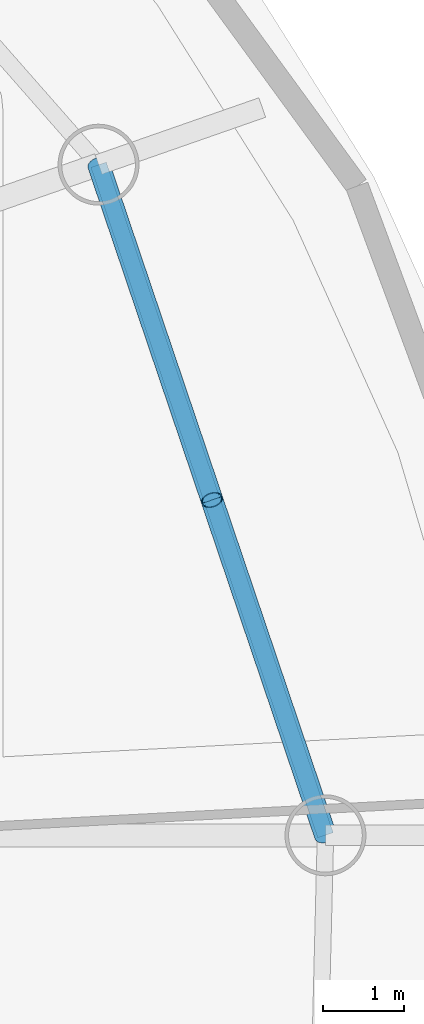
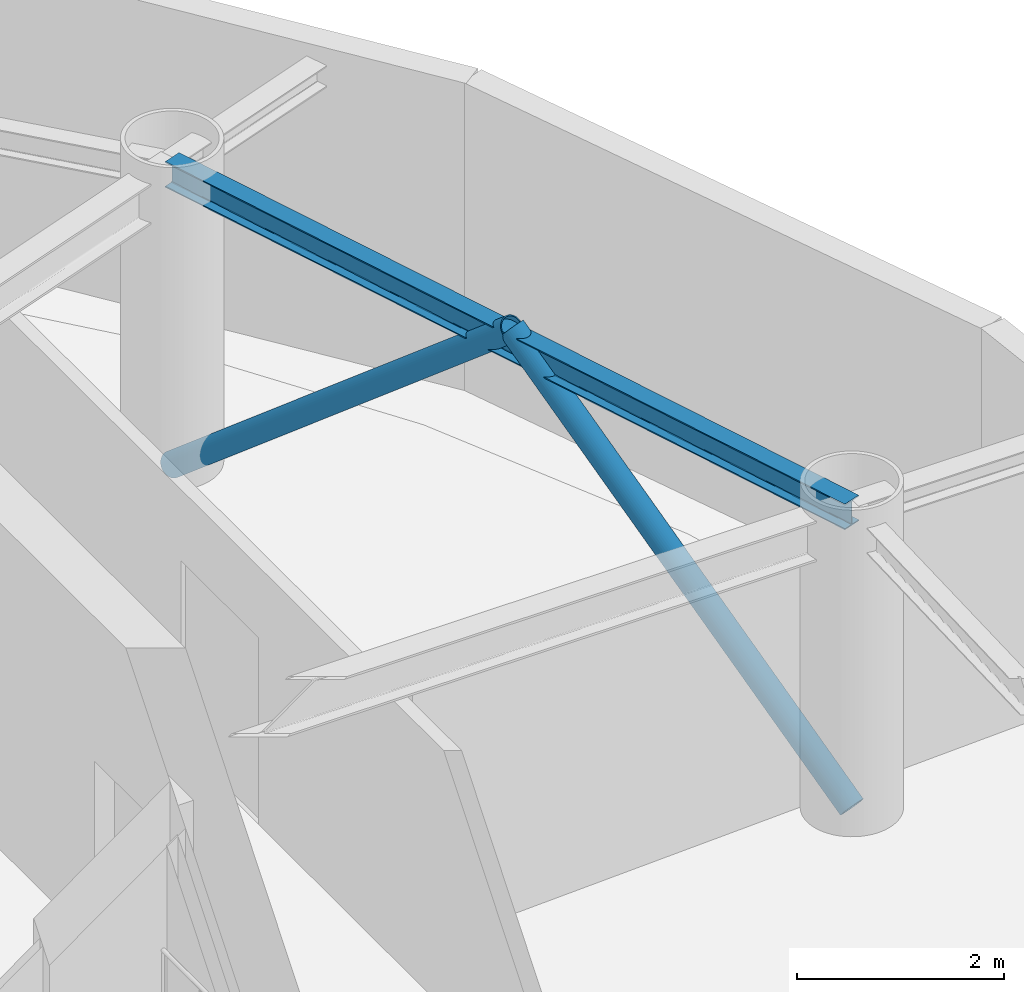
# One storey, part 7 of 17: 2 members, 1 beam.
"""IFC4 building model written with IfcOpenShell, lengths in metres."""

from ifc_helpers import new_model, si_unit, direction, frame, origin, origin_2d, place, context, subcontext, project, spatial, hollow_circle, i_section, extrude, material, material_profile, profile_set, type_object, element, save


model = new_model("IFC4")

# Units and contexts
model_context = context("Model", 3, precision=1e-05, world=origin(), true_north=direction((0.0, 1.0)))
body_context = subcontext(model_context, "Body", "Model", "MODEL_VIEW")
ifc_project = project(units=[si_unit("LENGTHUNIT", "METRE"), si_unit("AREAUNIT", "SQUARE_METRE"), si_unit("VOLUMEUNIT", "CUBIC_METRE"), si_unit("PLANEANGLEUNIT", "RADIAN"), si_unit("MASSUNIT", "GRAM", prefix="KILO")], contexts=[model_context])

# Site, building, storey
site_placement = place(None, origin())
site = spatial("IfcSite", under=ifc_project, at=site_placement, CompositionType="ELEMENT")
building_placement = place(site_placement, origin())
building = spatial("IfcBuilding", under=site, at=building_placement, Name="Bramvorn Convention Spire", CompositionType="ELEMENT")
storey_placement = place(building_placement, frame((0.0, 0.0, 280.550048828125)))
storey = spatial("IfcBuildingStorey", under=building, at=storey_placement, Name="L71", CompositionType="ELEMENT", Elevation=280.550048828125)

# Beam
ifc_material = material(Name="Steel CSA G40.21 Grade 350 (350W)", Category="steel")
ifc_material_profile_1 = material_profile(ifc_material, i_section(OverallWidth=0.202880859375, OverallDepth=0.302978515625, WebThickness=0.007568359375, FlangeThickness=0.01318359375, FilletRadius=0.013916015625, at=origin_2d()))
ifc_profile_set_1 = profile_set([ifc_material_profile_1], Name="Steel CSA G40.21 Grade 350 (350W) - W310X60")
beam_type = type_object("IfcBeamType", Name="BM-W310X60", PredefinedType="JOIST", material=ifc_profile_set_1)
beam_placement = place(storey_placement, frame((56.234619140625, 26.62939453125, 3.473388671875), z_axis=(-0.320531023763, 0.947238018032, 0.0), x_axis=(-0.947238018032, -0.320531023763, 0.0)))
element("IfcBeam", 1, at=beam_placement, inside=storey, type_object=beam_type, Name="L71 mega-column ring beam 04", PredefinedType="JOIST", context=body_context, shape_type="SweptSolid", body=[
    extrude(i_section(OverallWidth=0.202880859375, OverallDepth=0.302978515625, WebThickness=0.007568359375, FlangeThickness=0.01318359375, FilletRadius=0.013916015625, at=origin_2d()), origin(), (0.0, 0.0, 1.0), 8.74169921875),
])

# Members
ifc_material_profile_2 = material_profile(ifc_material, hollow_circle(Radius=0.136474609375, WallThickness=0.0126953125, at=origin_2d()))
ifc_profile_set_2 = profile_set([ifc_material_profile_2], Name="Steel CSA G40.21 Grade 350 (350W) - CHS273X13")
member_type = type_object("IfcMemberType", Name="MBR-CHS273X13", PredefinedType="BRACE", material=ifc_profile_set_2)
member_1_placement = place(storey_placement, frame((56.234619140625, 26.62939453125, 0.0), z_axis=(-0.246737306961, 0.729119705305, 0.638361305759), x_axis=(-0.947232407912, -0.320547602394, 0.0)))
element("IfcMember", 2, at=member_1_placement, inside=storey, type_object=member_type, Name="L71 perimeter Gothic lancet brace 4A", PredefinedType="BRACE", context=body_context, shape_type="SweptSolid", body=[
    extrude(hollow_circle(Radius=0.136474609375, WallThickness=0.0126953125, at=origin_2d()), origin(), (0.0, 0.0, 1.0), 5.6787109375),
])
member_2_placement = place(storey_placement, frame((53.4326171875, 34.909912109375, 0.0), z_axis=(0.246704664157, -0.729107301286, 0.638388088778), x_axis=(0.947243628259, 0.320514443859, 0.0)))
element("IfcMember", 3, at=member_2_placement, inside=storey, type_object=member_type, Name="L71 perimeter Gothic lancet brace 4B", PredefinedType="BRACE", context=body_context, shape_type="SweptSolid", body=[
    extrude(hollow_circle(Radius=0.136474609375, WallThickness=0.0126953125, at=origin_2d()), origin(), (0.0, 0.0, 1.0), 5.678466796875),
])

save(model, "model.ifc")
